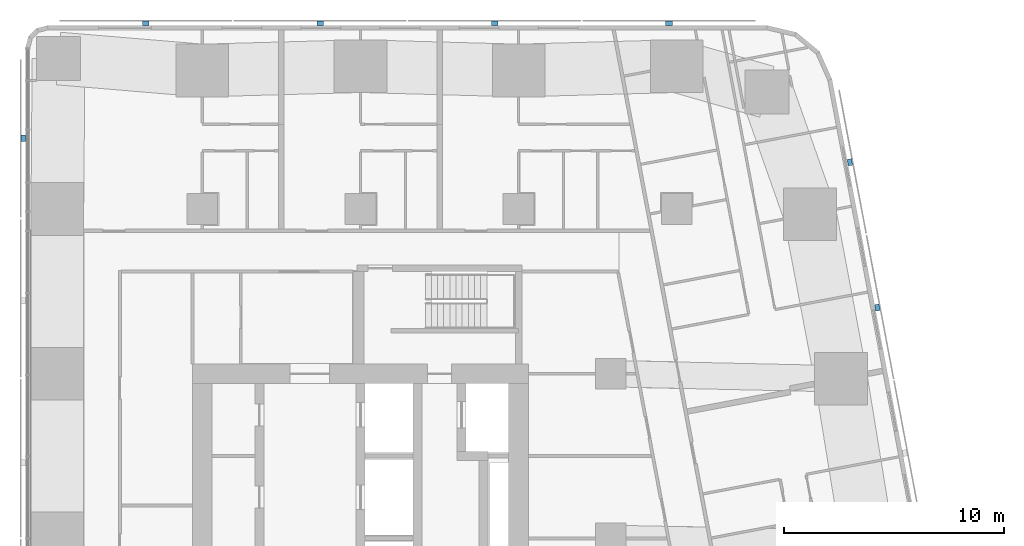
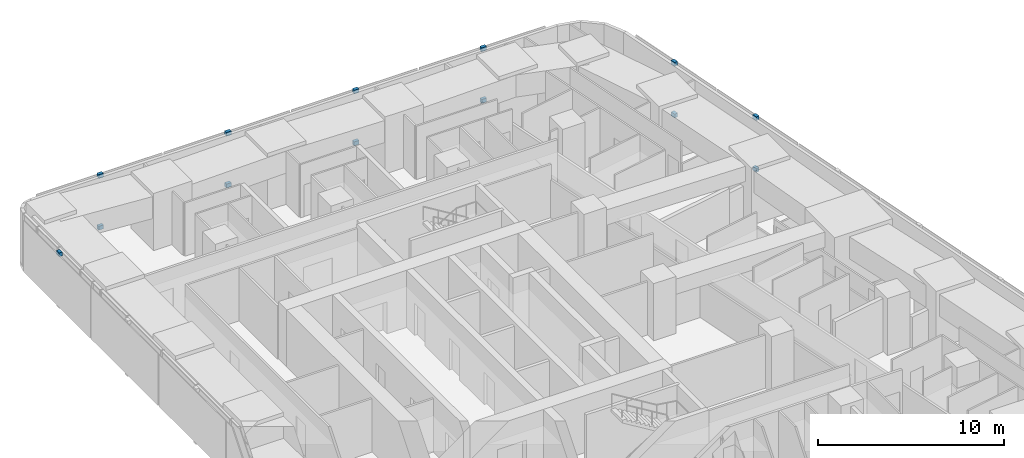
# One storey, part 15 of 17: 13 discrete accessories.
"""IFC4 building model written with IfcOpenShell, lengths in metres."""

import ifcopenshell
import ifcopenshell.guid

model = None  # the IFC model being written
_history = None  # IfcOwnerHistory: only IFC2X3 demands one
_inside = {}  # id of a spatial element -> (the spatial element, [elements in it])
_under = {}  # id of a project, library or spatial element -> (it, [spatial elements below it])
_declared = {}  # id of a project -> (the project, [libraries it declares])
_typed = {}  # id of a type object -> (the type object, [elements of that type])
_made_of = {}  # id of a material, layer set ... -> (it, [elements and type objects made of it])


def new_model(schema):
    """Start an empty IFC model of exactly this schema.

    Asked for "IFC4X3", IfcOpenShell would pick the latest addendum, in which some entities
    have other attributes; the version numbers below select the first issue.
    IFC2X3 requires an IfcOwnerHistory on every rooted entity: one is made here for all.
    """
    global model, _history
    if schema == "IFC4X3":
        model = ifcopenshell.file(schema_version=(4, 3, 0, 0))
    else:
        model = ifcopenshell.file(schema=schema)
    _inside.clear()
    _under.clear()
    _declared.clear()
    _typed.clear()
    _made_of.clear()
    _history = None
    if model.schema == "IFC2X3":
        org = make("IfcOrganization", Name="unknown")
        user = make(
            "IfcPersonAndOrganization",
            ThePerson=make("IfcPerson", FamilyName="unknown"),
            TheOrganization=org,
        )
        app = make(
            "IfcApplication",
            ApplicationDeveloper=org,
            Version="unknown",
            ApplicationFullName="unknown",
            ApplicationIdentifier="unknown",
        )
        _history = make(
            "IfcOwnerHistory",
            OwningUser=user,
            OwningApplication=app,
            ChangeAction="ADDED",
            CreationDate=0,
        )
    return model


def make(cls, **values):
    """One entity of the class cls with the attributes given. An attribute that is None is left unset."""
    return model.create_entity(
        cls, **{name: value for name, value in values.items() if value is not None}
    )


def rooted(cls, **values):
    """An entity with a GlobalId (a new one), such as an element, a storey or a relation."""
    return make(cls, GlobalId=ifcopenshell.guid.new(), OwnerHistory=_history, **values)


def si_unit(unit_type, name, prefix=None):
    """IfcSIUnit, for example si_unit("LENGTHUNIT", "METRE", prefix="MILLI")."""
    return make("IfcSIUnit", UnitType=unit_type, Prefix=prefix, Name=name)


def assignment(units):
    """IfcUnitAssignment: the units of a project."""
    return None if units is None else make("IfcUnitAssignment", Units=units)


def point(xyz):
    """IfcCartesianPoint."""
    return None if xyz is None else make("IfcCartesianPoint", Coordinates=xyz)


def direction(xyz):
    """IfcDirection."""
    return None if xyz is None else make("IfcDirection", DirectionRatios=xyz)


def frame(location, z_axis=None, x_axis=None):
    """IfcAxis2Placement3D, a coordinate frame: its origin and axes. An axis left out is left unset."""
    return make(
        "IfcAxis2Placement3D",
        Location=point(location),
        Axis=direction(z_axis),
        RefDirection=direction(x_axis),
    )


def frame_2d(location, x_axis=None):
    """IfcAxis2Placement2D, a coordinate frame in the plane: its origin and x axis."""
    return make(
        "IfcAxis2Placement2D", Location=point(location), RefDirection=direction(x_axis)
    )


def origin():
    """The frame at (0, 0, 0) with its axes left unset."""
    return frame((0.0, 0.0, 0.0))


def origin_2d():
    """The frame at (0, 0) in the plane with its x axis left unset."""
    return frame_2d((0.0, 0.0))


def place(relative_to, where):
    """IfcLocalPlacement: puts the frame where relative to a parent placement (None: the world)."""
    return make(
        "IfcLocalPlacement", PlacementRelTo=relative_to, RelativePlacement=where
    )


def context(
    kind, dimensions, precision=None, world=None, true_north=None, identifier=None
):
    """IfcGeometricRepresentationContext, for example the 3D "Model" context."""
    return make(
        "IfcGeometricRepresentationContext",
        ContextIdentifier=identifier,
        ContextType=kind,
        CoordinateSpaceDimension=dimensions,
        Precision=precision,
        WorldCoordinateSystem=world,
        TrueNorth=true_north,
    )


def subcontext(parent, identifier, kind, view, scale=None):
    """IfcGeometricRepresentationSubContext, for example "Body" below "Model"."""
    return make(
        "IfcGeometricRepresentationSubContext",
        ContextIdentifier=identifier,
        ContextType=kind,
        ParentContext=parent,
        TargetScale=scale,
        TargetView=view,
    )


def project(units=None, contexts=None):
    """IfcProject with its units and contexts."""
    return rooted(
        "IfcProject",
        Name="project",
        RepresentationContexts=contexts,
        UnitsInContext=assignment(units),
    )


def spatial(cls, under=None, at=None, **own):
    """A site, building, storey or space (cls), placed at a placement, below another one or the project."""
    s = rooted(cls, ObjectPlacement=at, **own)
    if under is not None:
        _under.setdefault(under.id(), (under, []))[1].append(s)
    return s


def profile(cls, at=None, kind="AREA", **sizes):
    """A parametric profile (cls). Its sizes go by their IFC names, for example OverallWidth=200.0."""
    return make(cls, ProfileType=kind, Position=at, **sizes)


def rectangle(**sizes):
    """IfcRectangleProfileDef."""
    return profile("IfcRectangleProfileDef", **sizes)


def extrude(swept, where, along, depth):
    """IfcExtrudedAreaSolid: the profile swept, set in the frame where, extruded along a direction by depth."""
    return make(
        "IfcExtrudedAreaSolid",
        SweptArea=swept,
        Position=where,
        ExtrudedDirection=direction(along),
        Depth=depth,
    )


def shape(context_of_items, identifier, shape_type, items):
    """IfcShapeRepresentation: the items that make up one representation, for example the "Body"."""
    return make(
        "IfcShapeRepresentation",
        ContextOfItems=context_of_items,
        RepresentationIdentifier=identifier,
        RepresentationType=shape_type,
        Items=items,
    )


def material(Name=None, Category=None):
    """IfcMaterial."""
    return make("IfcMaterial", Name=Name, Category=Category)


def made_of(thing, what):
    """Note that an element or type object is made of a material, layer set ...; save() writes the relation."""
    if what is not None:
        _made_of.setdefault(what.id(), (what, []))[1].append(thing)
    return thing


def type_object(cls, material=None, **own):
    """A type object (cls), such as IfcWallType, which elements share."""
    return made_of(rooted(cls, **own), material)


def element(
    cls,
    number,
    at=None,
    inside=None,
    cuts=None,
    type_object=None,
    material=None,
    context=None,
    identifier="Body",
    shape_type=None,
    held_by="IfcProductDefinitionShape",
    body=None,
    shapes=None,
    **own,
):
    """One element of the class cls, such as IfcWall. Its Tag is "e" and its number.

    at: its placement. inside: the storey or other place that contains it. cuts: it is an
    opening in that element (IfcRelVoidsElement). A single representation is given by context,
    identifier, shape_type and body (its items); several are given by shapes. held_by: the class
    of the entity that holds the representations. save() writes the other relations.
    """
    e = rooted(cls, Tag="e%d" % number, ObjectPlacement=at, **own)
    if body is not None:
        shapes = [shape(context, identifier, shape_type, body)]
    if shapes is not None:
        e.Representation = make(held_by, Representations=shapes)
    if inside is not None:
        _inside.setdefault(inside.id(), (inside, []))[1].append(e)
    if cuts is not None:
        rooted(
            "IfcRelVoidsElement", RelatingBuildingElement=cuts, RelatedOpeningElement=e
        )
    if type_object is not None:
        _typed.setdefault(type_object.id(), (type_object, []))[1].append(e)
    return made_of(e, material)


def aggregate(whole, parts):
    """IfcRelAggregates: a whole, such as a stair, and the parts it consists of."""
    return rooted("IfcRelAggregates", RelatingObject=whole, RelatedObjects=parts)


def save(model, path):
    """Write the relations noted so far, then the file.

    IfcRelAggregates (storeys below a building ...), IfcRelContainedInSpatialStructure (elements
    in a storey), IfcRelDefinesByType, IfcRelAssociatesMaterial and IfcRelDeclares: one each for
    every whole, place, type object, material and project.
    """
    for whole, parts in _under.values():
        aggregate(whole, parts)
    for where, things in _inside.values():
        rooted(
            "IfcRelContainedInSpatialStructure",
            RelatedElements=things,
            RelatingStructure=where,
        )
    for kind, things in _typed.values():
        rooted("IfcRelDefinesByType", RelatedObjects=things, RelatingType=kind)
    for what, things in _made_of.values():
        rooted("IfcRelAssociatesMaterial", RelatedObjects=things, RelatingMaterial=what)
    for by, libraries in _declared.values():
        rooted("IfcRelDeclares", RelatingContext=by, RelatedDefinitions=libraries)
    model.write(path)


model = new_model("IFC4")

# Units and contexts
model_context = context("Model", 3, precision=1e-05, world=origin(), true_north=direction((0.0, 1.0)))
body_context = subcontext(model_context, "Body", "Model", "MODEL_VIEW")
ifc_project = project(units=[si_unit("LENGTHUNIT", "METRE"), si_unit("AREAUNIT", "SQUARE_METRE"), si_unit("VOLUMEUNIT", "CUBIC_METRE"), si_unit("PLANEANGLEUNIT", "RADIAN"), si_unit("MASSUNIT", "GRAM", prefix="KILO")], contexts=[model_context])

# Site, building, storey
site_placement = place(None, origin())
site = spatial("IfcSite", under=ifc_project, at=site_placement, CompositionType="ELEMENT")
building_placement = place(site_placement, origin())
building = spatial("IfcBuilding", under=site, at=building_placement, Name="Sheger Commons Tower", CompositionType="ELEMENT")
storey_placement = place(building_placement, frame((0.0, 0.0, 204.949951171875)))
storey = spatial("IfcBuildingStorey", under=building, at=storey_placement, Name="L52", CompositionType="ELEMENT", Elevation=204.949951171875)

# Discrete accessories
ifc_material = material(Name="Black painted steel bracket", Category="steel")
discrete_accessory_type = type_object("IfcDiscreteAccessoryType", Name="SCREEN BRACKET 300x200x250", PredefinedType="BRACKET", material=ifc_material)
for number, where, z_axis, x_axis, name in (
    (1, (45.133056640625, 33.0048828125, -0.099853515625), (0.0, 0.0, 1.0), (-0.185615165645, 0.982622516678, 0.0), "Solar screen foot bracket"),
    (2, (45.133056640625, 33.0048828125, 3.300048828125), (0.0, 0.0, 1.0), (-0.185615165645, 0.982622516678, 0.0), "Solar screen head bracket"),
    (3, (43.882080078125, 39.6240234375, -0.099853515625), (0.0, 0.0, 1.0), (-0.185615165645, 0.982622516678, 0.0), "Solar screen foot bracket"),
    (4, (43.882080078125, 39.6240234375, 3.300048828125), (0.0, 0.0, 1.0), (-0.185615165645, 0.982622516678, 0.0), "Solar screen head bracket"),
    (5, (35.64697265625, 45.949951171875, -0.099853515625), (0.0, 0.0, 1.0), (-1.0, 0.0, 0.0), "Solar screen foot bracket"),
    (6, (35.64697265625, 45.949951171875, 3.300048828125), (0.0, 0.0, 1.0), (-1.0, 0.0, 0.0), "Solar screen head bracket"),
    (7, (27.705078125, 45.949951171875, -0.099853515625), (0.0, 0.0, 1.0), (-1.0, 0.0, 0.0), "Solar screen foot bracket"),
    (8, (27.705078125, 45.949951171875, 3.300048828125), (0.0, 0.0, 1.0), (-1.0, 0.0, 0.0), "Solar screen head bracket"),
    (9, (19.762939453125, 45.949951171875, -0.099853515625), (0.0, 0.0, 1.0), (-1.0, 0.0, 0.0), "Solar screen foot bracket"),
    (10, (19.762939453125, 45.949951171875, 3.300048828125), (0.0, 0.0, 1.0), (-1.0, 0.0, 0.0), "Solar screen head bracket"),
    (11, (11.821044921875, 45.949951171875, -0.099853515625), (0.0, 0.0, 1.0), (-1.0, 0.0, 0.0), "Solar screen foot bracket"),
    (12, (11.821044921875, 45.949951171875, 3.300048828125), (0.0, 0.0, 1.0), (-1.0, 0.0, 0.0), "Solar screen head bracket"),
    (13, (6.25, 40.7080078125, 3.300048828125), (0.0, 0.0, 1.0), (0.0, -1.0, 0.0), "Solar screen head bracket"),
):
    element("IfcDiscreteAccessory", number, at=place(storey_placement, frame(where, z_axis=z_axis, x_axis=x_axis)), inside=storey, type_object=discrete_accessory_type, Name=name, PredefinedType="BRACKET", context=body_context, shape_type="SweptSolid", body=[
        extrude(rectangle(XDim=0.300048828125, YDim=0.199951171875, at=origin_2d()), origin(), (0.0, 0.0, 1.0), 0.25),
    ])

save(model, "model.ifc")
